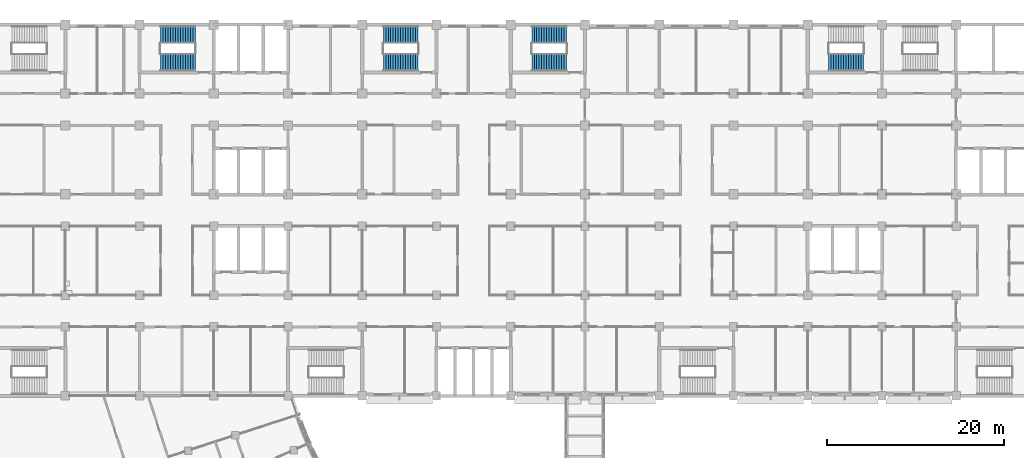
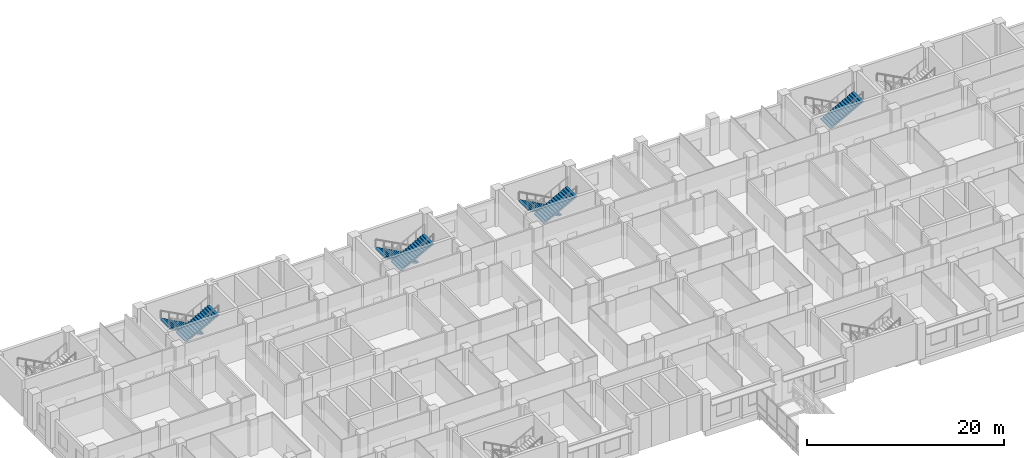
# One storey, part 97 of 136: 7 stair flights, 4 elements without a shape of their own.
"""IFC4 building model written with IfcOpenShell, lengths in metres."""

import ifcopenshell
import ifcopenshell.guid

model = None  # the IFC model being written
_history = None  # IfcOwnerHistory: only IFC2X3 demands one
_inside = {}  # id of a spatial element -> (the spatial element, [elements in it])
_under = {}  # id of a project, library or spatial element -> (it, [spatial elements below it])
_declared = {}  # id of a project -> (the project, [libraries it declares])
_typed = {}  # id of a type object -> (the type object, [elements of that type])
_made_of = {}  # id of a material, layer set ... -> (it, [elements and type objects made of it])


def new_model(schema):
    """Start an empty IFC model of exactly this schema.

    Asked for "IFC4X3", IfcOpenShell would pick the latest addendum, in which some entities
    have other attributes; the version numbers below select the first issue.
    IFC2X3 requires an IfcOwnerHistory on every rooted entity: one is made here for all.
    """
    global model, _history
    if schema == "IFC4X3":
        model = ifcopenshell.file(schema_version=(4, 3, 0, 0))
    else:
        model = ifcopenshell.file(schema=schema)
    _inside.clear()
    _under.clear()
    _declared.clear()
    _typed.clear()
    _made_of.clear()
    _history = None
    if model.schema == "IFC2X3":
        org = make("IfcOrganization", Name="unknown")
        user = make(
            "IfcPersonAndOrganization",
            ThePerson=make("IfcPerson", FamilyName="unknown"),
            TheOrganization=org,
        )
        app = make(
            "IfcApplication",
            ApplicationDeveloper=org,
            Version="unknown",
            ApplicationFullName="unknown",
            ApplicationIdentifier="unknown",
        )
        _history = make(
            "IfcOwnerHistory",
            OwningUser=user,
            OwningApplication=app,
            ChangeAction="ADDED",
            CreationDate=0,
        )
    return model


def make(cls, **values):
    """One entity of the class cls with the attributes given. An attribute that is None is left unset."""
    return model.create_entity(
        cls, **{name: value for name, value in values.items() if value is not None}
    )


def rooted(cls, **values):
    """An entity with a GlobalId (a new one), such as an element, a storey or a relation."""
    return make(cls, GlobalId=ifcopenshell.guid.new(), OwnerHistory=_history, **values)


def si_unit(unit_type, name, prefix=None):
    """IfcSIUnit, for example si_unit("LENGTHUNIT", "METRE", prefix="MILLI")."""
    return make("IfcSIUnit", UnitType=unit_type, Prefix=prefix, Name=name)


def assignment(units):
    """IfcUnitAssignment: the units of a project."""
    return None if units is None else make("IfcUnitAssignment", Units=units)


def point(xyz):
    """IfcCartesianPoint."""
    return None if xyz is None else make("IfcCartesianPoint", Coordinates=xyz)


def direction(xyz):
    """IfcDirection."""
    return None if xyz is None else make("IfcDirection", DirectionRatios=xyz)


def frame(location, z_axis=None, x_axis=None):
    """IfcAxis2Placement3D, a coordinate frame: its origin and axes. An axis left out is left unset."""
    return make(
        "IfcAxis2Placement3D",
        Location=point(location),
        Axis=direction(z_axis),
        RefDirection=direction(x_axis),
    )


def origin():
    """The frame at (0, 0, 0) with its axes left unset."""
    return frame((0.0, 0.0, 0.0))


def place(relative_to, where):
    """IfcLocalPlacement: puts the frame where relative to a parent placement (None: the world)."""
    return make(
        "IfcLocalPlacement", PlacementRelTo=relative_to, RelativePlacement=where
    )


def context(
    kind, dimensions, precision=None, world=None, true_north=None, identifier=None
):
    """IfcGeometricRepresentationContext, for example the 3D "Model" context."""
    return make(
        "IfcGeometricRepresentationContext",
        ContextIdentifier=identifier,
        ContextType=kind,
        CoordinateSpaceDimension=dimensions,
        Precision=precision,
        WorldCoordinateSystem=world,
        TrueNorth=true_north,
    )


def subcontext(parent, identifier, kind, view, scale=None):
    """IfcGeometricRepresentationSubContext, for example "Body" below "Model"."""
    return make(
        "IfcGeometricRepresentationSubContext",
        ContextIdentifier=identifier,
        ContextType=kind,
        ParentContext=parent,
        TargetScale=scale,
        TargetView=view,
    )


def project(units=None, contexts=None):
    """IfcProject with its units and contexts."""
    return rooted(
        "IfcProject",
        Name="project",
        RepresentationContexts=contexts,
        UnitsInContext=assignment(units),
    )


def spatial(cls, under=None, at=None, **own):
    """A site, building, storey or space (cls), placed at a placement, below another one or the project."""
    s = rooted(cls, ObjectPlacement=at, **own)
    if under is not None:
        _under.setdefault(under.id(), (under, []))[1].append(s)
    return s


def polyline(points):
    """IfcPolyline through the points."""
    return make("IfcPolyline", Points=[point(p) for p in points])


def outline(outer, holes=None, kind="AREA"):
    """IfcArbitraryClosedProfileDef: a profile drawn as a closed curve; with holes, ...WithVoids."""
    if holes is None:
        return make("IfcArbitraryClosedProfileDef", ProfileType=kind, OuterCurve=outer)
    return make(
        "IfcArbitraryProfileDefWithVoids",
        ProfileType=kind,
        OuterCurve=outer,
        InnerCurves=holes,
    )


def extrude(swept, where, along, depth):
    """IfcExtrudedAreaSolid: the profile swept, set in the frame where, extruded along a direction by depth."""
    return make(
        "IfcExtrudedAreaSolid",
        SweptArea=swept,
        Position=where,
        ExtrudedDirection=direction(along),
        Depth=depth,
    )


def shape(context_of_items, identifier, shape_type, items):
    """IfcShapeRepresentation: the items that make up one representation, for example the "Body"."""
    return make(
        "IfcShapeRepresentation",
        ContextOfItems=context_of_items,
        RepresentationIdentifier=identifier,
        RepresentationType=shape_type,
        Items=items,
    )


def material(Name=None, Category=None):
    """IfcMaterial."""
    return make("IfcMaterial", Name=Name, Category=Category)


def made_of(thing, what):
    """Note that an element or type object is made of a material, layer set ...; save() writes the relation."""
    if what is not None:
        _made_of.setdefault(what.id(), (what, []))[1].append(thing)
    return thing


def type_object(cls, material=None, **own):
    """A type object (cls), such as IfcWallType, which elements share."""
    return made_of(rooted(cls, **own), material)


def element(
    cls,
    number,
    at=None,
    inside=None,
    cuts=None,
    type_object=None,
    material=None,
    context=None,
    identifier="Body",
    shape_type=None,
    held_by="IfcProductDefinitionShape",
    body=None,
    shapes=None,
    **own,
):
    """One element of the class cls, such as IfcWall. Its Tag is "e" and its number.

    at: its placement. inside: the storey or other place that contains it. cuts: it is an
    opening in that element (IfcRelVoidsElement). A single representation is given by context,
    identifier, shape_type and body (its items); several are given by shapes. held_by: the class
    of the entity that holds the representations. save() writes the other relations.
    """
    e = rooted(cls, Tag="e%d" % number, ObjectPlacement=at, **own)
    if body is not None:
        shapes = [shape(context, identifier, shape_type, body)]
    if shapes is not None:
        e.Representation = make(held_by, Representations=shapes)
    if inside is not None:
        _inside.setdefault(inside.id(), (inside, []))[1].append(e)
    if cuts is not None:
        rooted(
            "IfcRelVoidsElement", RelatingBuildingElement=cuts, RelatedOpeningElement=e
        )
    if type_object is not None:
        _typed.setdefault(type_object.id(), (type_object, []))[1].append(e)
    return made_of(e, material)


def aggregate(whole, parts):
    """IfcRelAggregates: a whole, such as a stair, and the parts it consists of."""
    return rooted("IfcRelAggregates", RelatingObject=whole, RelatedObjects=parts)


def save(model, path):
    """Write the relations noted so far, then the file.

    IfcRelAggregates (storeys below a building ...), IfcRelContainedInSpatialStructure (elements
    in a storey), IfcRelDefinesByType, IfcRelAssociatesMaterial and IfcRelDeclares: one each for
    every whole, place, type object, material and project.
    """
    for whole, parts in _under.values():
        aggregate(whole, parts)
    for where, things in _inside.values():
        rooted(
            "IfcRelContainedInSpatialStructure",
            RelatedElements=things,
            RelatingStructure=where,
        )
    for kind, things in _typed.values():
        rooted("IfcRelDefinesByType", RelatedObjects=things, RelatingType=kind)
    for what, things in _made_of.values():
        rooted("IfcRelAssociatesMaterial", RelatedObjects=things, RelatingMaterial=what)
    for by, libraries in _declared.values():
        rooted("IfcRelDeclares", RelatingContext=by, RelatedDefinitions=libraries)
    model.write(path)


model = new_model("IFC4")

# Units and contexts
model_context = context("Model", 3, precision=1e-05, world=origin(), true_north=direction((0.0, 1.0)))
body_context = subcontext(model_context, "Body", "Model", "MODEL_VIEW")
ifc_project = project(units=[si_unit("LENGTHUNIT", "METRE"), si_unit("AREAUNIT", "SQUARE_METRE"), si_unit("VOLUMEUNIT", "CUBIC_METRE"), si_unit("PLANEANGLEUNIT", "RADIAN"), si_unit("MASSUNIT", "GRAM", prefix="KILO")], contexts=[model_context])

# Site, building, storey
site_placement = place(None, origin())
site = spatial("IfcSite", under=ifc_project, at=site_placement, CompositionType="ELEMENT")
building_placement = place(site_placement, origin())
building = spatial("IfcBuilding", under=site, at=building_placement, Name="Bougainvillea Quay General Hospital", CompositionType="ELEMENT")
storey_placement = place(building_placement, frame((0.0, 0.0, 5.39990234375)))
storey = spatial("IfcBuildingStorey", under=building, at=storey_placement, Name="L01", CompositionType="ELEMENT", Elevation=5.39990234375)

# Stair, stair flights
ifc_material = material(Name="Concrete C35", Category="concrete")
stair_type = type_object("IfcStairType", Name="Stair half-turn 1925 wide", PredefinedType="HALF_TURN_STAIR", material=ifc_material)
stair_1_placement = place(storey_placement, origin())
stair_1 = element("IfcStair", 1, at=stair_1_placement, inside=storey, type_object=stair_type, Name="L01 stair ST-D1", PredefinedType="HALF_TURN_STAIR")
stair_flight_type = type_object("IfcStairFlightType", Name="Stair flight 1925", PredefinedType="STRAIGHT", material=ifc_material)
stair_flight_1_placement = place(storey_placement, frame((65.10009765625, 158.46240234375, 0.0), z_axis=(0.0, 0.0, 1.0), x_axis=(-1.0, 0.0, 0.0)))
stair_flight_1 = element("IfcStairFlight", 2, at=stair_flight_1_placement, type_object=stair_flight_type, Name="ST-D1 flight 1", NumberOfRisers=15, NumberOfTreads=14, PredefinedType="STRAIGHT", RiserHeight=0.15, TreadLength=0.28, context=body_context, shape_type="SweptSolid", body=[
    extrude(outline(polyline([(-0.0029296875, 0.0), (-0.0029296875, 0.003662109375), (-0.0029296875, 0.00732421875), (-0.0029296875, 0.010986328125), (-0.0029296875, 0.0146484375), (-0.0029296875, 0.018310546875), (-0.0029296875, 0.02197265625), (-0.0029296875, 0.025634765625), (-0.0029296875, 0.029296875), (-0.0029296875, 0.032958984375), (-0.0029296875, 0.03662109375), (-0.0029296875, 0.040283203125), (-0.0029296875, 0.0439453125), (-0.0029296875, 0.047607421875), (-0.0029296875, 0.05126953125), (-0.0029296875, 0.054931640625), (-0.0029296875, 0.05859375), (-0.0029296875, 0.062255859375), (-0.0029296875, 0.06591796875), (-0.0029296875, 0.069580078125), (-0.0029296875, 0.0732421875), (-0.0029296875, 0.076904296875), (-0.0029296875, 0.08056640625), (-0.0029296875, 0.084228515625), (-0.0029296875, 0.087890625), (-0.0029296875, 0.091552734375), (-0.0029296875, 0.09521484375), (-0.0029296875, 0.098876953125), (-0.0029296875, 0.1025390625), (-0.0029296875, 0.106201171875), (-0.0029296875, 0.10986328125), (-0.0029296875, 0.113525390625), (-0.0029296875, 0.1171875), (-0.0029296875, 0.120849609375), (-0.0029296875, 0.12451171875), (-0.0029296875, 0.1279296875), (-0.0029296875, 0.131591796875), (-0.0029296875, 0.13525390625), (-0.0029296875, 0.138916015625), (-0.0029296875, 0.142578125), (-0.0029296875, 0.146240234375), (-0.0029296875, 0.14990234375), (0.280029296875, 0.14990234375), (0.280029296875, 0.300048828125), (0.56005859375, 0.300048828125), (0.56005859375, 0.449951171875), (0.840087890625, 0.449951171875), (0.840087890625, 0.60009765625), (1.1201171875, 0.60009765625), (1.1201171875, 0.75), (1.39990234375, 0.75), (1.39990234375, 0.89990234375), (1.679931640625, 0.89990234375), (1.679931640625, 1.050048828125), (1.9599609375, 1.050048828125), (1.9599609375, 1.199951171875), (2.239990234375, 1.199951171875), (2.239990234375, 1.35009765625), (2.52001953125, 1.35009765625), (2.52001953125, 1.5), (2.800048828125, 1.5), (2.800048828125, 1.64990234375), (3.080078125, 1.64990234375), (3.080078125, 1.800048828125), (3.360107421875, 1.800048828125), (3.360107421875, 1.949951171875), (3.639892578125, 1.949951171875), (3.639892578125, 2.10009765625), (3.923095703125, 2.10009765625), (3.923095703125, 2.095947265625), (3.923095703125, 2.091796875), (3.923095703125, 2.087646484375), (3.923095703125, 2.08349609375), (3.923095703125, 2.079345703125), (3.923095703125, 2.0751953125), (3.923095703125, 2.071044921875), (3.923095703125, 2.06689453125), (3.923095703125, 2.062744140625), (3.923095703125, 2.05859375), (3.923095703125, 2.054443359375), (3.923095703125, 2.05029296875), (3.923095703125, 2.046142578125), (3.923095703125, 2.0419921875), (3.923095703125, 2.037841796875), (3.923095703125, 2.03369140625), (3.923095703125, 2.029541015625), (3.923095703125, 2.025390625), (3.923095703125, 2.021240234375), (3.923095703125, 2.01708984375), (3.923095703125, 2.012939453125), (3.923095703125, 2.0087890625), (3.923095703125, 2.004638671875), (3.923095703125, 2.00048828125), (3.923095703125, 1.996337890625), (3.923095703125, 1.9921875), (3.923095703125, 1.988037109375), (3.923095703125, 1.98388671875), (3.923095703125, 1.979736328125), (3.923095703125, 1.9755859375), (3.923095703125, 1.971435546875), (3.923095703125, 1.96728515625), (3.923095703125, 1.963134765625), (3.923095703125, 1.958984375), (3.923095703125, 1.954833984375), (3.923095703125, 1.95068359375), (3.923095703125, 1.946533203125), (3.923095703125, 1.9423828125), (3.923095703125, 1.938232421875), (3.923095703125, 1.93408203125), (3.923095703125, 1.929931640625), (0.3173828125, 0.0), (-0.0029296875, 0.0)])), frame((0.0, 0.96240234375, 0.0), z_axis=(0.0, -1.0, 0.0), x_axis=(1.0, 0.0, 0.0)), (0.0, 0.0, 1.0), 1.925048828125),
])
stair_flight_2_placement = place(storey_placement, frame((61.179931640625, 155.33740234375, 2.25), z_axis=(0.0, 0.0, 1.0), x_axis=(1.0, 0.0, 0.0)))
stair_flight_2 = element("IfcStairFlight", 3, at=stair_flight_2_placement, type_object=stair_flight_type, Name="ST-D1 flight 2", NumberOfRisers=15, NumberOfTreads=14, PredefinedType="STRAIGHT", RiserHeight=0.15, TreadLength=0.28, context=body_context, shape_type="SweptSolid", body=[
    extrude(outline(polyline([(-0.0029296875, 0.0), (-0.0029296875, 0.003662109375), (-0.0029296875, 0.00732421875), (-0.0029296875, 0.010986328125), (-0.0029296875, 0.0146484375), (-0.0029296875, 0.018310546875), (-0.0029296875, 0.02197265625), (-0.0029296875, 0.025634765625), (-0.0029296875, 0.029296875), (-0.0029296875, 0.032958984375), (-0.0029296875, 0.03662109375), (-0.0029296875, 0.040283203125), (-0.0029296875, 0.0439453125), (-0.0029296875, 0.047607421875), (-0.0029296875, 0.05126953125), (-0.0029296875, 0.054931640625), (-0.0029296875, 0.05859375), (-0.0029296875, 0.062255859375), (-0.0029296875, 0.06591796875), (-0.0029296875, 0.069580078125), (-0.0029296875, 0.0732421875), (-0.0029296875, 0.076904296875), (-0.0029296875, 0.08056640625), (-0.0029296875, 0.084228515625), (-0.0029296875, 0.087890625), (-0.0029296875, 0.091552734375), (-0.0029296875, 0.09521484375), (-0.0029296875, 0.098876953125), (-0.0029296875, 0.1025390625), (-0.0029296875, 0.106201171875), (-0.0029296875, 0.10986328125), (-0.0029296875, 0.113525390625), (-0.0029296875, 0.1171875), (-0.0029296875, 0.120849609375), (-0.0029296875, 0.12451171875), (-0.0029296875, 0.1279296875), (-0.0029296875, 0.131591796875), (-0.0029296875, 0.13525390625), (-0.0029296875, 0.138916015625), (-0.0029296875, 0.142578125), (-0.0029296875, 0.146240234375), (-0.0029296875, 0.14990234375), (0.280029296875, 0.14990234375), (0.280029296875, 0.300048828125), (0.56005859375, 0.300048828125), (0.56005859375, 0.449951171875), (0.840087890625, 0.449951171875), (0.840087890625, 0.60009765625), (1.1201171875, 0.60009765625), (1.1201171875, 0.75), (1.39990234375, 0.75), (1.39990234375, 0.89990234375), (1.679931640625, 0.89990234375), (1.679931640625, 1.050048828125), (1.9599609375, 1.050048828125), (1.9599609375, 1.199951171875), (2.239990234375, 1.199951171875), (2.239990234375, 1.35009765625), (2.52001953125, 1.35009765625), (2.52001953125, 1.5), (2.800048828125, 1.5), (2.800048828125, 1.64990234375), (3.080078125, 1.64990234375), (3.080078125, 1.800048828125), (3.360107421875, 1.800048828125), (3.360107421875, 1.949951171875), (3.639892578125, 1.949951171875), (3.639892578125, 2.10009765625), (3.923095703125, 2.10009765625), (3.923095703125, 2.095947265625), (3.923095703125, 2.091796875), (3.923095703125, 2.087646484375), (3.923095703125, 2.08349609375), (3.923095703125, 2.079345703125), (3.923095703125, 2.0751953125), (3.923095703125, 2.071044921875), (3.923095703125, 2.06689453125), (3.923095703125, 2.062744140625), (3.923095703125, 2.05859375), (3.923095703125, 2.054443359375), (3.923095703125, 2.05029296875), (3.923095703125, 2.046142578125), (3.923095703125, 2.0419921875), (3.923095703125, 2.037841796875), (3.923095703125, 2.03369140625), (3.923095703125, 2.029541015625), (3.923095703125, 2.025390625), (3.923095703125, 2.021240234375), (3.923095703125, 2.01708984375), (3.923095703125, 2.012939453125), (3.923095703125, 2.0087890625), (3.923095703125, 2.004638671875), (3.923095703125, 2.00048828125), (3.923095703125, 1.996337890625), (3.923095703125, 1.9921875), (3.923095703125, 1.988037109375), (3.923095703125, 1.98388671875), (3.923095703125, 1.979736328125), (3.923095703125, 1.9755859375), (3.923095703125, 1.971435546875), (3.923095703125, 1.96728515625), (3.923095703125, 1.963134765625), (3.923095703125, 1.958984375), (3.923095703125, 1.954833984375), (3.923095703125, 1.95068359375), (3.923095703125, 1.946533203125), (3.923095703125, 1.9423828125), (3.923095703125, 1.938232421875), (3.923095703125, 1.93408203125), (3.923095703125, 1.929931640625), (0.3173828125, 0.0), (-0.0029296875, 0.0)])), frame((0.0, 0.96240234375, 0.0), z_axis=(0.0, -1.0, 0.0), x_axis=(1.0, 0.0, 0.0)), (0.0, 0.0, 1.0), 1.925048828125),
])
aggregate(stair_1, [stair_flight_1, stair_flight_2])

stair_2_placement = place(storey_placement, origin())
stair_2 = element("IfcStair", 4, at=stair_2_placement, inside=storey, type_object=stair_type, Name="L01 stair ST-A2", PredefinedType="HALF_TURN_STAIR")
stair_flight_3_placement = place(storey_placement, frame((90.300048828125, 158.46240234375, 0.0), z_axis=(0.0, 0.0, 1.0), x_axis=(-1.0, 0.0, 0.0)))
stair_flight_3 = element("IfcStairFlight", 5, at=stair_flight_3_placement, type_object=stair_flight_type, Name="ST-A2 flight 1", NumberOfRisers=15, NumberOfTreads=14, PredefinedType="STRAIGHT", RiserHeight=0.15, TreadLength=0.28, context=body_context, shape_type="SweptSolid", body=[
    extrude(outline(polyline([(-0.0029296875, 0.0), (-0.0029296875, 0.003662109375), (-0.0029296875, 0.00732421875), (-0.0029296875, 0.010986328125), (-0.0029296875, 0.0146484375), (-0.0029296875, 0.018310546875), (-0.0029296875, 0.02197265625), (-0.0029296875, 0.025634765625), (-0.0029296875, 0.029296875), (-0.0029296875, 0.032958984375), (-0.0029296875, 0.03662109375), (-0.0029296875, 0.040283203125), (-0.0029296875, 0.0439453125), (-0.0029296875, 0.047607421875), (-0.0029296875, 0.05126953125), (-0.0029296875, 0.054931640625), (-0.0029296875, 0.05859375), (-0.0029296875, 0.062255859375), (-0.0029296875, 0.06591796875), (-0.0029296875, 0.069580078125), (-0.0029296875, 0.0732421875), (-0.0029296875, 0.076904296875), (-0.0029296875, 0.08056640625), (-0.0029296875, 0.084228515625), (-0.0029296875, 0.087890625), (-0.0029296875, 0.091552734375), (-0.0029296875, 0.09521484375), (-0.0029296875, 0.098876953125), (-0.0029296875, 0.1025390625), (-0.0029296875, 0.106201171875), (-0.0029296875, 0.10986328125), (-0.0029296875, 0.113525390625), (-0.0029296875, 0.1171875), (-0.0029296875, 0.120849609375), (-0.0029296875, 0.12451171875), (-0.0029296875, 0.1279296875), (-0.0029296875, 0.131591796875), (-0.0029296875, 0.13525390625), (-0.0029296875, 0.138916015625), (-0.0029296875, 0.142578125), (-0.0029296875, 0.146240234375), (-0.0029296875, 0.14990234375), (0.280029296875, 0.14990234375), (0.280029296875, 0.300048828125), (0.56005859375, 0.300048828125), (0.56005859375, 0.449951171875), (0.840087890625, 0.449951171875), (0.840087890625, 0.60009765625), (1.1201171875, 0.60009765625), (1.1201171875, 0.75), (1.39990234375, 0.75), (1.39990234375, 0.89990234375), (1.679931640625, 0.89990234375), (1.679931640625, 1.050048828125), (1.9599609375, 1.050048828125), (1.9599609375, 1.199951171875), (2.239990234375, 1.199951171875), (2.239990234375, 1.35009765625), (2.52001953125, 1.35009765625), (2.52001953125, 1.5), (2.800048828125, 1.5), (2.800048828125, 1.64990234375), (3.080078125, 1.64990234375), (3.080078125, 1.800048828125), (3.360107421875, 1.800048828125), (3.360107421875, 1.949951171875), (3.639892578125, 1.949951171875), (3.639892578125, 2.10009765625), (3.923095703125, 2.10009765625), (3.923095703125, 2.095947265625), (3.923095703125, 2.091796875), (3.923095703125, 2.087646484375), (3.923095703125, 2.08349609375), (3.923095703125, 2.079345703125), (3.923095703125, 2.0751953125), (3.923095703125, 2.071044921875), (3.923095703125, 2.06689453125), (3.923095703125, 2.062744140625), (3.923095703125, 2.05859375), (3.923095703125, 2.054443359375), (3.923095703125, 2.05029296875), (3.923095703125, 2.046142578125), (3.923095703125, 2.0419921875), (3.923095703125, 2.037841796875), (3.923095703125, 2.03369140625), (3.923095703125, 2.029541015625), (3.923095703125, 2.025390625), (3.923095703125, 2.021240234375), (3.923095703125, 2.01708984375), (3.923095703125, 2.012939453125), (3.923095703125, 2.0087890625), (3.923095703125, 2.004638671875), (3.923095703125, 2.00048828125), (3.923095703125, 1.996337890625), (3.923095703125, 1.9921875), (3.923095703125, 1.988037109375), (3.923095703125, 1.98388671875), (3.923095703125, 1.979736328125), (3.923095703125, 1.9755859375), (3.923095703125, 1.971435546875), (3.923095703125, 1.96728515625), (3.923095703125, 1.963134765625), (3.923095703125, 1.958984375), (3.923095703125, 1.954833984375), (3.923095703125, 1.95068359375), (3.923095703125, 1.946533203125), (3.923095703125, 1.9423828125), (3.923095703125, 1.938232421875), (3.923095703125, 1.93408203125), (3.923095703125, 1.929931640625), (0.3173828125, 0.0), (-0.0029296875, 0.0)])), frame((0.0, 0.96240234375, 0.0), z_axis=(0.0, -1.0, 0.0), x_axis=(1.0, 0.0, 0.0)), (0.0, 0.0, 1.0), 1.925048828125),
])
stair_flight_4_placement = place(storey_placement, frame((86.3798828125, 155.33740234375, 2.25), z_axis=(0.0, 0.0, 1.0), x_axis=(1.0, 0.0, 0.0)))
stair_flight_4 = element("IfcStairFlight", 6, at=stair_flight_4_placement, type_object=stair_flight_type, Name="ST-A2 flight 2", NumberOfRisers=15, NumberOfTreads=14, PredefinedType="STRAIGHT", RiserHeight=0.15, TreadLength=0.28, context=body_context, shape_type="SweptSolid", body=[
    extrude(outline(polyline([(-0.0029296875, 0.0), (-0.0029296875, 0.003662109375), (-0.0029296875, 0.00732421875), (-0.0029296875, 0.010986328125), (-0.0029296875, 0.0146484375), (-0.0029296875, 0.018310546875), (-0.0029296875, 0.02197265625), (-0.0029296875, 0.025634765625), (-0.0029296875, 0.029296875), (-0.0029296875, 0.032958984375), (-0.0029296875, 0.03662109375), (-0.0029296875, 0.040283203125), (-0.0029296875, 0.0439453125), (-0.0029296875, 0.047607421875), (-0.0029296875, 0.05126953125), (-0.0029296875, 0.054931640625), (-0.0029296875, 0.05859375), (-0.0029296875, 0.062255859375), (-0.0029296875, 0.06591796875), (-0.0029296875, 0.069580078125), (-0.0029296875, 0.0732421875), (-0.0029296875, 0.076904296875), (-0.0029296875, 0.08056640625), (-0.0029296875, 0.084228515625), (-0.0029296875, 0.087890625), (-0.0029296875, 0.091552734375), (-0.0029296875, 0.09521484375), (-0.0029296875, 0.098876953125), (-0.0029296875, 0.1025390625), (-0.0029296875, 0.106201171875), (-0.0029296875, 0.10986328125), (-0.0029296875, 0.113525390625), (-0.0029296875, 0.1171875), (-0.0029296875, 0.120849609375), (-0.0029296875, 0.12451171875), (-0.0029296875, 0.1279296875), (-0.0029296875, 0.131591796875), (-0.0029296875, 0.13525390625), (-0.0029296875, 0.138916015625), (-0.0029296875, 0.142578125), (-0.0029296875, 0.146240234375), (-0.0029296875, 0.14990234375), (0.280029296875, 0.14990234375), (0.280029296875, 0.300048828125), (0.56005859375, 0.300048828125), (0.56005859375, 0.449951171875), (0.840087890625, 0.449951171875), (0.840087890625, 0.60009765625), (1.1201171875, 0.60009765625), (1.1201171875, 0.75), (1.39990234375, 0.75), (1.39990234375, 0.89990234375), (1.679931640625, 0.89990234375), (1.679931640625, 1.050048828125), (1.9599609375, 1.050048828125), (1.9599609375, 1.199951171875), (2.239990234375, 1.199951171875), (2.239990234375, 1.35009765625), (2.52001953125, 1.35009765625), (2.52001953125, 1.5), (2.800048828125, 1.5), (2.800048828125, 1.64990234375), (3.080078125, 1.64990234375), (3.080078125, 1.800048828125), (3.360107421875, 1.800048828125), (3.360107421875, 1.949951171875), (3.639892578125, 1.949951171875), (3.639892578125, 2.10009765625), (3.923095703125, 2.10009765625), (3.923095703125, 2.095947265625), (3.923095703125, 2.091796875), (3.923095703125, 2.087646484375), (3.923095703125, 2.08349609375), (3.923095703125, 2.079345703125), (3.923095703125, 2.0751953125), (3.923095703125, 2.071044921875), (3.923095703125, 2.06689453125), (3.923095703125, 2.062744140625), (3.923095703125, 2.05859375), (3.923095703125, 2.054443359375), (3.923095703125, 2.05029296875), (3.923095703125, 2.046142578125), (3.923095703125, 2.0419921875), (3.923095703125, 2.037841796875), (3.923095703125, 2.03369140625), (3.923095703125, 2.029541015625), (3.923095703125, 2.025390625), (3.923095703125, 2.021240234375), (3.923095703125, 2.01708984375), (3.923095703125, 2.012939453125), (3.923095703125, 2.0087890625), (3.923095703125, 2.004638671875), (3.923095703125, 2.00048828125), (3.923095703125, 1.996337890625), (3.923095703125, 1.9921875), (3.923095703125, 1.988037109375), (3.923095703125, 1.98388671875), (3.923095703125, 1.979736328125), (3.923095703125, 1.9755859375), (3.923095703125, 1.971435546875), (3.923095703125, 1.96728515625), (3.923095703125, 1.963134765625), (3.923095703125, 1.958984375), (3.923095703125, 1.954833984375), (3.923095703125, 1.95068359375), (3.923095703125, 1.946533203125), (3.923095703125, 1.9423828125), (3.923095703125, 1.938232421875), (3.923095703125, 1.93408203125), (3.923095703125, 1.929931640625), (0.3173828125, 0.0), (-0.0029296875, 0.0)])), frame((0.0, 0.96240234375, 0.0), z_axis=(0.0, -1.0, 0.0), x_axis=(1.0, 0.0, 0.0)), (0.0, 0.0, 1.0), 1.925048828125),
])
aggregate(stair_2, [stair_flight_3, stair_flight_4])

# Stair, stair flight
stair_3_placement = place(storey_placement, origin())
stair_3 = element("IfcStair", 7, at=stair_3_placement, inside=storey, type_object=stair_type, Name="L01 stair ST-A3", PredefinedType="HALF_TURN_STAIR")
stair_flight_5_placement = place(storey_placement, frame((136.780029296875, 155.33740234375, 2.25), z_axis=(0.0, 0.0, 1.0), x_axis=(1.0, 0.0, 0.0)))
stair_flight_5 = element("IfcStairFlight", 8, at=stair_flight_5_placement, type_object=stair_flight_type, Name="ST-A3 flight 2", NumberOfRisers=15, NumberOfTreads=14, PredefinedType="STRAIGHT", RiserHeight=0.15, TreadLength=0.28, context=body_context, shape_type="SweptSolid", body=[
    extrude(outline(polyline([(-0.0029296875, 0.0), (-0.0029296875, 0.003662109375), (-0.0029296875, 0.00732421875), (-0.0029296875, 0.010986328125), (-0.0029296875, 0.0146484375), (-0.0029296875, 0.018310546875), (-0.0029296875, 0.02197265625), (-0.0029296875, 0.025634765625), (-0.0029296875, 0.029296875), (-0.0029296875, 0.032958984375), (-0.0029296875, 0.03662109375), (-0.0029296875, 0.040283203125), (-0.0029296875, 0.0439453125), (-0.0029296875, 0.047607421875), (-0.0029296875, 0.05126953125), (-0.0029296875, 0.054931640625), (-0.0029296875, 0.05859375), (-0.0029296875, 0.062255859375), (-0.0029296875, 0.06591796875), (-0.0029296875, 0.069580078125), (-0.0029296875, 0.0732421875), (-0.0029296875, 0.076904296875), (-0.0029296875, 0.08056640625), (-0.0029296875, 0.084228515625), (-0.0029296875, 0.087890625), (-0.0029296875, 0.091552734375), (-0.0029296875, 0.09521484375), (-0.0029296875, 0.098876953125), (-0.0029296875, 0.1025390625), (-0.0029296875, 0.106201171875), (-0.0029296875, 0.10986328125), (-0.0029296875, 0.113525390625), (-0.0029296875, 0.1171875), (-0.0029296875, 0.120849609375), (-0.0029296875, 0.12451171875), (-0.0029296875, 0.1279296875), (-0.0029296875, 0.131591796875), (-0.0029296875, 0.13525390625), (-0.0029296875, 0.138916015625), (-0.0029296875, 0.142578125), (-0.0029296875, 0.146240234375), (-0.0029296875, 0.14990234375), (0.280029296875, 0.14990234375), (0.280029296875, 0.300048828125), (0.56005859375, 0.300048828125), (0.56005859375, 0.449951171875), (0.840087890625, 0.449951171875), (0.840087890625, 0.60009765625), (1.1201171875, 0.60009765625), (1.1201171875, 0.75), (1.39990234375, 0.75), (1.39990234375, 0.89990234375), (1.679931640625, 0.89990234375), (1.679931640625, 1.050048828125), (1.9599609375, 1.050048828125), (1.9599609375, 1.199951171875), (2.239990234375, 1.199951171875), (2.239990234375, 1.35009765625), (2.52001953125, 1.35009765625), (2.52001953125, 1.5), (2.800048828125, 1.5), (2.800048828125, 1.64990234375), (3.080078125, 1.64990234375), (3.080078125, 1.800048828125), (3.360107421875, 1.800048828125), (3.360107421875, 1.949951171875), (3.639892578125, 1.949951171875), (3.639892578125, 2.10009765625), (3.923095703125, 2.10009765625), (3.923095703125, 2.095947265625), (3.923095703125, 2.091796875), (3.923095703125, 2.087646484375), (3.923095703125, 2.08349609375), (3.923095703125, 2.079345703125), (3.923095703125, 2.0751953125), (3.923095703125, 2.071044921875), (3.923095703125, 2.06689453125), (3.923095703125, 2.062744140625), (3.923095703125, 2.05859375), (3.923095703125, 2.054443359375), (3.923095703125, 2.05029296875), (3.923095703125, 2.046142578125), (3.923095703125, 2.0419921875), (3.923095703125, 2.037841796875), (3.923095703125, 2.03369140625), (3.923095703125, 2.029541015625), (3.923095703125, 2.025390625), (3.923095703125, 2.021240234375), (3.923095703125, 2.01708984375), (3.923095703125, 2.012939453125), (3.923095703125, 2.0087890625), (3.923095703125, 2.004638671875), (3.923095703125, 2.00048828125), (3.923095703125, 1.996337890625), (3.923095703125, 1.9921875), (3.923095703125, 1.988037109375), (3.923095703125, 1.98388671875), (3.923095703125, 1.979736328125), (3.923095703125, 1.9755859375), (3.923095703125, 1.971435546875), (3.923095703125, 1.96728515625), (3.923095703125, 1.963134765625), (3.923095703125, 1.958984375), (3.923095703125, 1.954833984375), (3.923095703125, 1.95068359375), (3.923095703125, 1.946533203125), (3.923095703125, 1.9423828125), (3.923095703125, 1.938232421875), (3.923095703125, 1.93408203125), (3.923095703125, 1.929931640625), (0.3173828125, 0.0), (-0.0029296875, 0.0)])), frame((0.0, 0.96240234375, 0.0), z_axis=(0.0, -1.0, 0.0), x_axis=(1.0, 0.0, 0.0)), (0.0, 0.0, 1.0), 1.925048828125),
])
aggregate(stair_3, [stair_flight_5])

# Stair, stair flights
stair_4_placement = place(storey_placement, origin())
stair_4 = element("IfcStair", 9, at=stair_4_placement, inside=storey, type_object=stair_type, Name="L01 stair ST-A5", PredefinedType="HALF_TURN_STAIR")
stair_flight_6_placement = place(storey_placement, frame((107.10009765625, 158.46240234375, 0.0), z_axis=(0.0, 0.0, 1.0), x_axis=(-1.0, 0.0, 0.0)))
stair_flight_6 = element("IfcStairFlight", 10, at=stair_flight_6_placement, type_object=stair_flight_type, Name="ST-A5 flight 1", NumberOfRisers=15, NumberOfTreads=14, PredefinedType="STRAIGHT", RiserHeight=0.15, TreadLength=0.28, context=body_context, shape_type="SweptSolid", body=[
    extrude(outline(polyline([(-0.0029296875, 0.0), (-0.0029296875, 0.003662109375), (-0.0029296875, 0.00732421875), (-0.0029296875, 0.010986328125), (-0.0029296875, 0.0146484375), (-0.0029296875, 0.018310546875), (-0.0029296875, 0.02197265625), (-0.0029296875, 0.025634765625), (-0.0029296875, 0.029296875), (-0.0029296875, 0.032958984375), (-0.0029296875, 0.03662109375), (-0.0029296875, 0.040283203125), (-0.0029296875, 0.0439453125), (-0.0029296875, 0.047607421875), (-0.0029296875, 0.05126953125), (-0.0029296875, 0.054931640625), (-0.0029296875, 0.05859375), (-0.0029296875, 0.062255859375), (-0.0029296875, 0.06591796875), (-0.0029296875, 0.069580078125), (-0.0029296875, 0.0732421875), (-0.0029296875, 0.076904296875), (-0.0029296875, 0.08056640625), (-0.0029296875, 0.084228515625), (-0.0029296875, 0.087890625), (-0.0029296875, 0.091552734375), (-0.0029296875, 0.09521484375), (-0.0029296875, 0.098876953125), (-0.0029296875, 0.1025390625), (-0.0029296875, 0.106201171875), (-0.0029296875, 0.10986328125), (-0.0029296875, 0.113525390625), (-0.0029296875, 0.1171875), (-0.0029296875, 0.120849609375), (-0.0029296875, 0.12451171875), (-0.0029296875, 0.1279296875), (-0.0029296875, 0.131591796875), (-0.0029296875, 0.13525390625), (-0.0029296875, 0.138916015625), (-0.0029296875, 0.142578125), (-0.0029296875, 0.146240234375), (-0.0029296875, 0.14990234375), (0.280029296875, 0.14990234375), (0.280029296875, 0.300048828125), (0.56005859375, 0.300048828125), (0.56005859375, 0.449951171875), (0.840087890625, 0.449951171875), (0.840087890625, 0.60009765625), (1.1201171875, 0.60009765625), (1.1201171875, 0.75), (1.39990234375, 0.75), (1.39990234375, 0.89990234375), (1.679931640625, 0.89990234375), (1.679931640625, 1.050048828125), (1.9599609375, 1.050048828125), (1.9599609375, 1.199951171875), (2.239990234375, 1.199951171875), (2.239990234375, 1.35009765625), (2.52001953125, 1.35009765625), (2.52001953125, 1.5), (2.800048828125, 1.5), (2.800048828125, 1.64990234375), (3.080078125, 1.64990234375), (3.080078125, 1.800048828125), (3.360107421875, 1.800048828125), (3.360107421875, 1.949951171875), (3.639892578125, 1.949951171875), (3.639892578125, 2.10009765625), (3.923095703125, 2.10009765625), (3.923095703125, 2.095947265625), (3.923095703125, 2.091796875), (3.923095703125, 2.087646484375), (3.923095703125, 2.08349609375), (3.923095703125, 2.079345703125), (3.923095703125, 2.0751953125), (3.923095703125, 2.071044921875), (3.923095703125, 2.06689453125), (3.923095703125, 2.062744140625), (3.923095703125, 2.05859375), (3.923095703125, 2.054443359375), (3.923095703125, 2.05029296875), (3.923095703125, 2.046142578125), (3.923095703125, 2.0419921875), (3.923095703125, 2.037841796875), (3.923095703125, 2.03369140625), (3.923095703125, 2.029541015625), (3.923095703125, 2.025390625), (3.923095703125, 2.021240234375), (3.923095703125, 2.01708984375), (3.923095703125, 2.012939453125), (3.923095703125, 2.0087890625), (3.923095703125, 2.004638671875), (3.923095703125, 2.00048828125), (3.923095703125, 1.996337890625), (3.923095703125, 1.9921875), (3.923095703125, 1.988037109375), (3.923095703125, 1.98388671875), (3.923095703125, 1.979736328125), (3.923095703125, 1.9755859375), (3.923095703125, 1.971435546875), (3.923095703125, 1.96728515625), (3.923095703125, 1.963134765625), (3.923095703125, 1.958984375), (3.923095703125, 1.954833984375), (3.923095703125, 1.95068359375), (3.923095703125, 1.946533203125), (3.923095703125, 1.9423828125), (3.923095703125, 1.938232421875), (3.923095703125, 1.93408203125), (3.923095703125, 1.929931640625), (0.3173828125, 0.0), (-0.0029296875, 0.0)])), frame((0.0, 0.96240234375, 0.0), z_axis=(0.0, -1.0, 0.0), x_axis=(1.0, 0.0, 0.0)), (0.0, 0.0, 1.0), 1.925048828125),
])
stair_flight_7_placement = place(storey_placement, frame((103.179931640625, 155.33740234375, 2.25), z_axis=(0.0, 0.0, 1.0), x_axis=(1.0, 0.0, 0.0)))
stair_flight_7 = element("IfcStairFlight", 11, at=stair_flight_7_placement, type_object=stair_flight_type, Name="ST-A5 flight 2", NumberOfRisers=15, NumberOfTreads=14, PredefinedType="STRAIGHT", RiserHeight=0.15, TreadLength=0.28, context=body_context, shape_type="SweptSolid", body=[
    extrude(outline(polyline([(-0.0029296875, 0.0), (-0.0029296875, 0.003662109375), (-0.0029296875, 0.00732421875), (-0.0029296875, 0.010986328125), (-0.0029296875, 0.0146484375), (-0.0029296875, 0.018310546875), (-0.0029296875, 0.02197265625), (-0.0029296875, 0.025634765625), (-0.0029296875, 0.029296875), (-0.0029296875, 0.032958984375), (-0.0029296875, 0.03662109375), (-0.0029296875, 0.040283203125), (-0.0029296875, 0.0439453125), (-0.0029296875, 0.047607421875), (-0.0029296875, 0.05126953125), (-0.0029296875, 0.054931640625), (-0.0029296875, 0.05859375), (-0.0029296875, 0.062255859375), (-0.0029296875, 0.06591796875), (-0.0029296875, 0.069580078125), (-0.0029296875, 0.0732421875), (-0.0029296875, 0.076904296875), (-0.0029296875, 0.08056640625), (-0.0029296875, 0.084228515625), (-0.0029296875, 0.087890625), (-0.0029296875, 0.091552734375), (-0.0029296875, 0.09521484375), (-0.0029296875, 0.098876953125), (-0.0029296875, 0.1025390625), (-0.0029296875, 0.106201171875), (-0.0029296875, 0.10986328125), (-0.0029296875, 0.113525390625), (-0.0029296875, 0.1171875), (-0.0029296875, 0.120849609375), (-0.0029296875, 0.12451171875), (-0.0029296875, 0.1279296875), (-0.0029296875, 0.131591796875), (-0.0029296875, 0.13525390625), (-0.0029296875, 0.138916015625), (-0.0029296875, 0.142578125), (-0.0029296875, 0.146240234375), (-0.0029296875, 0.14990234375), (0.280029296875, 0.14990234375), (0.280029296875, 0.300048828125), (0.56005859375, 0.300048828125), (0.56005859375, 0.449951171875), (0.840087890625, 0.449951171875), (0.840087890625, 0.60009765625), (1.1201171875, 0.60009765625), (1.1201171875, 0.75), (1.39990234375, 0.75), (1.39990234375, 0.89990234375), (1.679931640625, 0.89990234375), (1.679931640625, 1.050048828125), (1.9599609375, 1.050048828125), (1.9599609375, 1.199951171875), (2.239990234375, 1.199951171875), (2.239990234375, 1.35009765625), (2.52001953125, 1.35009765625), (2.52001953125, 1.5), (2.800048828125, 1.5), (2.800048828125, 1.64990234375), (3.080078125, 1.64990234375), (3.080078125, 1.800048828125), (3.360107421875, 1.800048828125), (3.360107421875, 1.949951171875), (3.639892578125, 1.949951171875), (3.639892578125, 2.10009765625), (3.923095703125, 2.10009765625), (3.923095703125, 2.095947265625), (3.923095703125, 2.091796875), (3.923095703125, 2.087646484375), (3.923095703125, 2.08349609375), (3.923095703125, 2.079345703125), (3.923095703125, 2.0751953125), (3.923095703125, 2.071044921875), (3.923095703125, 2.06689453125), (3.923095703125, 2.062744140625), (3.923095703125, 2.05859375), (3.923095703125, 2.054443359375), (3.923095703125, 2.05029296875), (3.923095703125, 2.046142578125), (3.923095703125, 2.0419921875), (3.923095703125, 2.037841796875), (3.923095703125, 2.03369140625), (3.923095703125, 2.029541015625), (3.923095703125, 2.025390625), (3.923095703125, 2.021240234375), (3.923095703125, 2.01708984375), (3.923095703125, 2.012939453125), (3.923095703125, 2.0087890625), (3.923095703125, 2.004638671875), (3.923095703125, 2.00048828125), (3.923095703125, 1.996337890625), (3.923095703125, 1.9921875), (3.923095703125, 1.988037109375), (3.923095703125, 1.98388671875), (3.923095703125, 1.979736328125), (3.923095703125, 1.9755859375), (3.923095703125, 1.971435546875), (3.923095703125, 1.96728515625), (3.923095703125, 1.963134765625), (3.923095703125, 1.958984375), (3.923095703125, 1.954833984375), (3.923095703125, 1.95068359375), (3.923095703125, 1.946533203125), (3.923095703125, 1.9423828125), (3.923095703125, 1.938232421875), (3.923095703125, 1.93408203125), (3.923095703125, 1.929931640625), (0.3173828125, 0.0), (-0.0029296875, 0.0)])), frame((0.0, 0.96240234375, 0.0), z_axis=(0.0, -1.0, 0.0), x_axis=(1.0, 0.0, 0.0)), (0.0, 0.0, 1.0), 1.925048828125),
])
aggregate(stair_4, [stair_flight_6, stair_flight_7])

save(model, "model.ifc")
